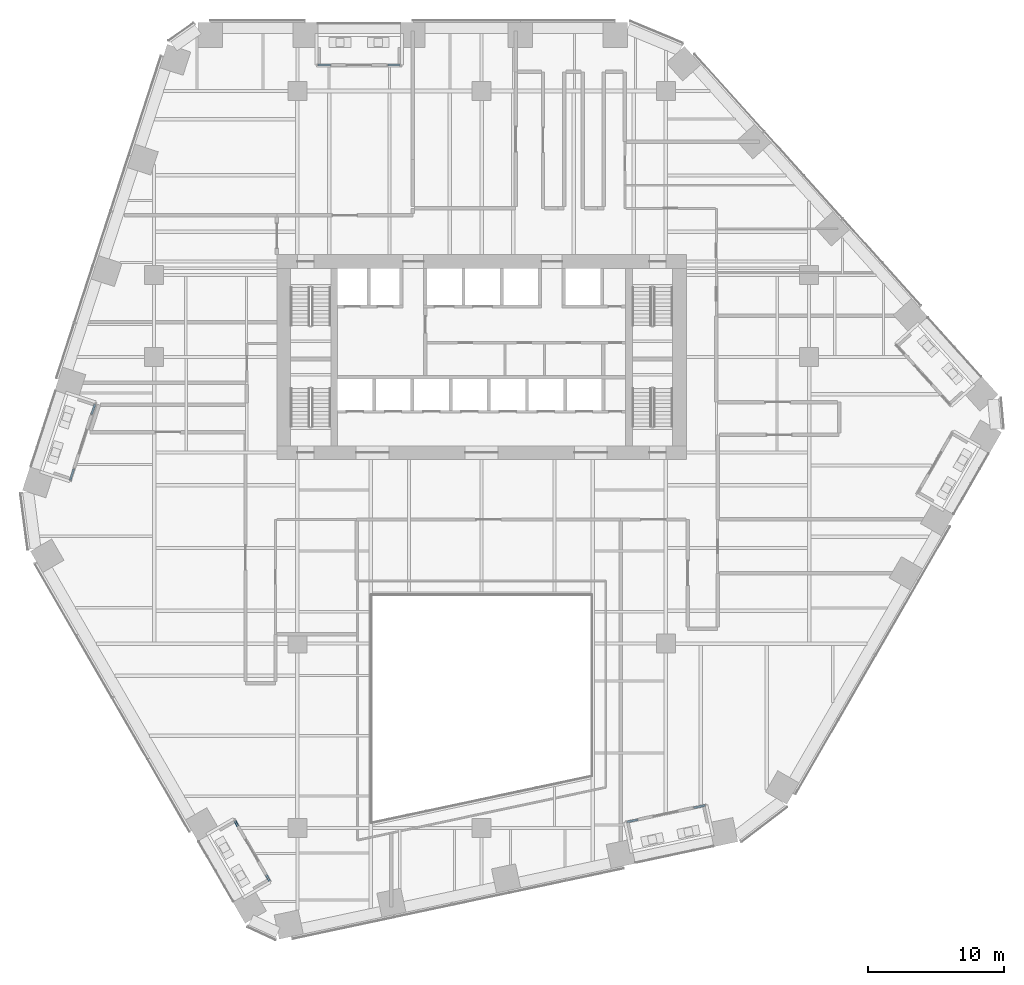
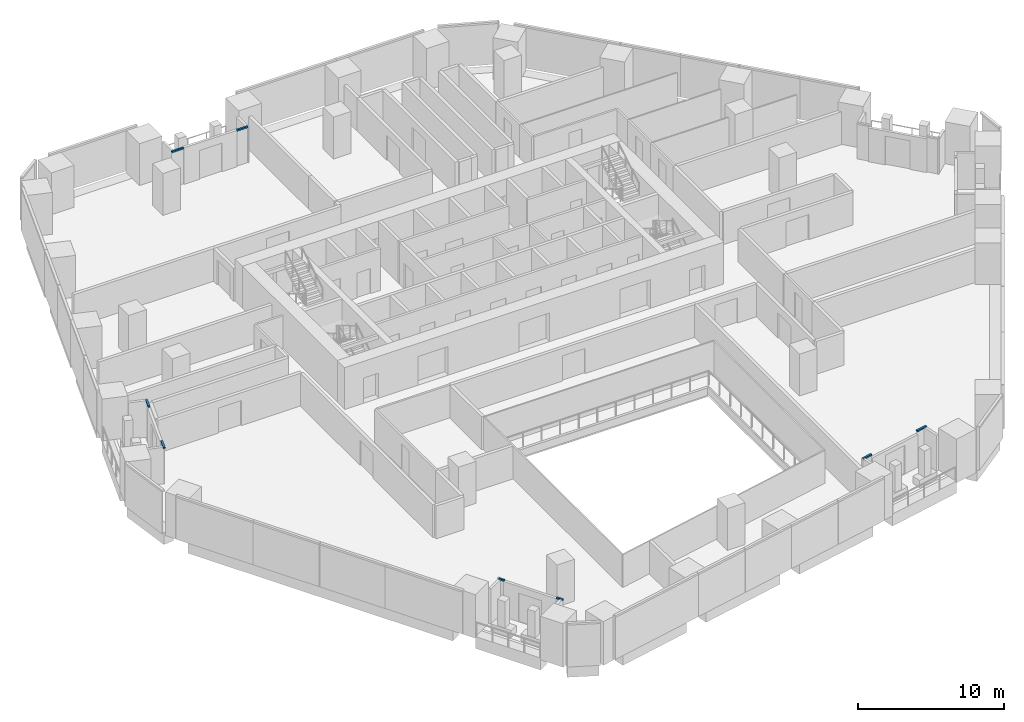
# One storey, part 15 of 31: 8 members, 4 elements without a shape of their own.
"""IFC4 building model written with IfcOpenShell, lengths in metres."""

from ifc_helpers import new_model, si_unit, direction, frame, origin, origin_2d, place, context, subcontext, project, spatial, rectangle, extrude, material, layer, layer_set, material_profile, profile_set, type_object, element, aggregate, save


model = new_model("IFC4")

# Units and contexts
model_context = context("Model", 3, precision=1e-05, world=origin(), true_north=direction((0.0, 1.0)))
body_context = subcontext(model_context, "Body", "Model", "MODEL_VIEW")
ifc_project = project(units=[si_unit("LENGTHUNIT", "METRE"), si_unit("AREAUNIT", "SQUARE_METRE"), si_unit("VOLUMEUNIT", "CUBIC_METRE"), si_unit("PLANEANGLEUNIT", "RADIAN"), si_unit("MASSUNIT", "GRAM", prefix="KILO")], contexts=[model_context])

# Site, building, storey
site_placement = place(None, origin())
site = spatial("IfcSite", under=ifc_project, at=site_placement, CompositionType="ELEMENT")
building_placement = place(site_placement, origin())
building = spatial("IfcBuilding", under=site, at=building_placement, Name="Isthmus Gate Tower", CompositionType="ELEMENT")
storey_placement = place(building_placement, frame((0.0, 0.0, 54.25)))
storey = spatial("IfcBuildingStorey", under=building, at=storey_placement, Name="L11", CompositionType="ELEMENT", Elevation=54.25)

# Curtain wall, members
ifc_material_1 = material(Name="Aluminium, pale champagne anodised", Category="aluminium")
ifc_layer = layer(ifc_material_1, 0.14990234375)
ifc_layer_set = layer_set([ifc_layer], Name="CW-6 LOGGIA BACK WALL GLAZING 150 DEEP")
curtain_wall_type = type_object("IfcCurtainWallType", Name="CW-6 LOGGIA BACK WALL GLAZING 150 DEEP", PredefinedType="NOTDEFINED", material=ifc_layer_set)
curtain_wall_1_placement = place(storey_placement, origin())
curtain_wall_1 = element("IfcCurtainWall", 1, at=curtain_wall_1_placement, inside=storey, type_object=curtain_wall_type, Name="CW-6 N L11", PredefinedType="NOTDEFINED")
ifc_material_2 = material(Name="Aluminium, pale champagne anodised", Category="aluminium")
ifc_material_profile = material_profile(ifc_material_2, rectangle(XDim=0.14990234375, YDim=0.1201171875, at=origin_2d()), Name="150x120")
ifc_profile_set = profile_set([ifc_material_profile], Name="Aluminium, pale champagne anodised")
member_type = type_object("IfcMemberType", Name="CW-6 TRANSOM 150 X 120", PredefinedType="USERDEFINED", material=ifc_profile_set)
member_1_placement = place(storey_placement, frame((-5.9970703125, 28.89990234375, 2.989990234375), z_axis=(-1.0, 0.0, 0.0), x_axis=(0.0, -1.0, 0.0)))
member_1 = element("IfcMember", 2, at=member_1_placement, type_object=member_type, Name="CW-6 transom", ObjectType="TRANSOM", PredefinedType="USERDEFINED", context=body_context, shape_type="SweptSolid", body=[
    extrude(rectangle(XDim=0.14990234375, YDim=0.1201171875, at=origin_2d()), origin(), (0.0, 0.0, 1.0), 0.875),
])
member_2_placement = place(storey_placement, frame((-11.072021484375, 28.89990234375, 2.989990234375), z_axis=(-1.0, 0.0, 0.0), x_axis=(0.0, -1.0, 0.0)))
member_2 = element("IfcMember", 3, at=member_2_placement, type_object=member_type, Name="CW-6 transom", ObjectType="TRANSOM", PredefinedType="USERDEFINED", context=body_context, shape_type="SweptSolid", body=[
    extrude(rectangle(XDim=0.14990234375, YDim=0.1201171875, at=origin_2d()), origin(), (0.0, 0.0, 1.0), 0.9345703125),
])
aggregate(curtain_wall_1, [member_1, member_2])

curtain_wall_2_placement = place(storey_placement, origin())
curtain_wall_2 = element("IfcCurtainWall", 4, at=curtain_wall_2_placement, inside=storey, type_object=curtain_wall_type, Name="CW-6 NW L11", PredefinedType="NOTDEFINED")
member_3_placement = place(storey_placement, frame((-28.34033203125, 4.037109375, 2.989990234375), z_axis=(-0.308938336802, -0.951082070094, 0.0), x_axis=(0.951082070094, -0.308938336802, 0.0)))
member_3 = element("IfcMember", 5, at=member_3_placement, type_object=member_type, Name="CW-6 transom", ObjectType="TRANSOM", PredefinedType="USERDEFINED", context=body_context, shape_type="SweptSolid", body=[
    extrude(rectangle(XDim=0.14990234375, YDim=0.1201171875, at=origin_2d()), origin(), (0.0, 0.0, 1.0), 0.78466796875),
])
member_4_placement = place(storey_placement, frame((-29.880615234375, -0.70361328125, 2.989990234375), z_axis=(-0.309020707094, -0.951055309952, 0.0), x_axis=(0.951055309952, -0.309020707094, 0.0)))
member_4 = element("IfcMember", 6, at=member_4_placement, type_object=member_type, Name="CW-6 transom", ObjectType="TRANSOM", PredefinedType="USERDEFINED", context=body_context, shape_type="SweptSolid", body=[
    extrude(rectangle(XDim=0.14990234375, YDim=0.1201171875, at=origin_2d()), origin(), (0.0, 0.0, 1.0), 0.844482421875),
])
aggregate(curtain_wall_2, [member_3, member_4])

curtain_wall_3_placement = place(storey_placement, origin())
curtain_wall_3 = element("IfcCurtainWall", 7, at=curtain_wall_3_placement, inside=storey, type_object=curtain_wall_type, Name="CW-6 SW L11", PredefinedType="NOTDEFINED")
member_5_placement = place(storey_placement, frame((-18.081787109375, -26.4814453125, 2.989990234375), z_axis=(0.499898558967, -0.866083962871, 0.0), x_axis=(0.866083962871, 0.499898558967, 0.0)))
member_5 = element("IfcMember", 8, at=member_5_placement, type_object=member_type, Name="CW-6 transom", ObjectType="TRANSOM", PredefinedType="USERDEFINED", context=body_context, shape_type="SweptSolid", body=[
    extrude(rectangle(XDim=0.14990234375, YDim=0.1201171875, at=origin_2d()), origin(), (0.0, 0.0, 1.0), 0.43994140625),
])
member_6_placement = place(storey_placement, frame((-15.7900390625, -30.450927734375, 2.989990234375), z_axis=(0.500131122175, -0.865949687125, 0.0), x_axis=(0.865949687125, 0.500131122175, 0.0)))
member_6 = element("IfcMember", 9, at=member_6_placement, type_object=member_type, Name="CW-6 transom", ObjectType="TRANSOM", PredefinedType="USERDEFINED", context=body_context, shape_type="SweptSolid", body=[
    extrude(rectangle(XDim=0.14990234375, YDim=0.1201171875, at=origin_2d()), origin(), (0.0, 0.0, 1.0), 0.499755859375),
])
aggregate(curtain_wall_3, [member_5, member_6])

curtain_wall_4_placement = place(storey_placement, origin())
curtain_wall_4 = element("IfcCurtainWall", 10, at=curtain_wall_4_placement, inside=storey, type_object=curtain_wall_type, Name="CW-6 S L11", PredefinedType="NOTDEFINED")
member_7_placement = place(storey_placement, frame((10.673828125, -26.56201171875, 2.989990234375), z_axis=(0.978101886776, 0.208126641938, 0.0), x_axis=(-0.208126641938, 0.978101886776, 0.0)))
member_7 = element("IfcMember", 11, at=member_7_placement, type_object=member_type, Name="CW-6 transom", ObjectType="TRANSOM", PredefinedType="USERDEFINED", context=body_context, shape_type="SweptSolid", body=[
    extrude(rectangle(XDim=0.14990234375, YDim=0.1201171875, at=origin_2d()), origin(), (0.0, 0.0, 1.0), 0.78466796875),
])
member_8_placement = place(storey_placement, frame((15.549560546875, -25.525634765625, 2.989990234375), z_axis=(0.978105928985, 0.208107644465, 0.0), x_axis=(-0.208107644465, 0.978105928985, 0.0)))
member_8 = element("IfcMember", 12, at=member_8_placement, type_object=member_type, Name="CW-6 transom", ObjectType="TRANSOM", PredefinedType="USERDEFINED", context=body_context, shape_type="SweptSolid", body=[
    extrude(rectangle(XDim=0.14990234375, YDim=0.1201171875, at=origin_2d()), origin(), (0.0, 0.0, 1.0), 0.8447265625),
])
aggregate(curtain_wall_4, [member_7, member_8])

save(model, "model.ifc")
